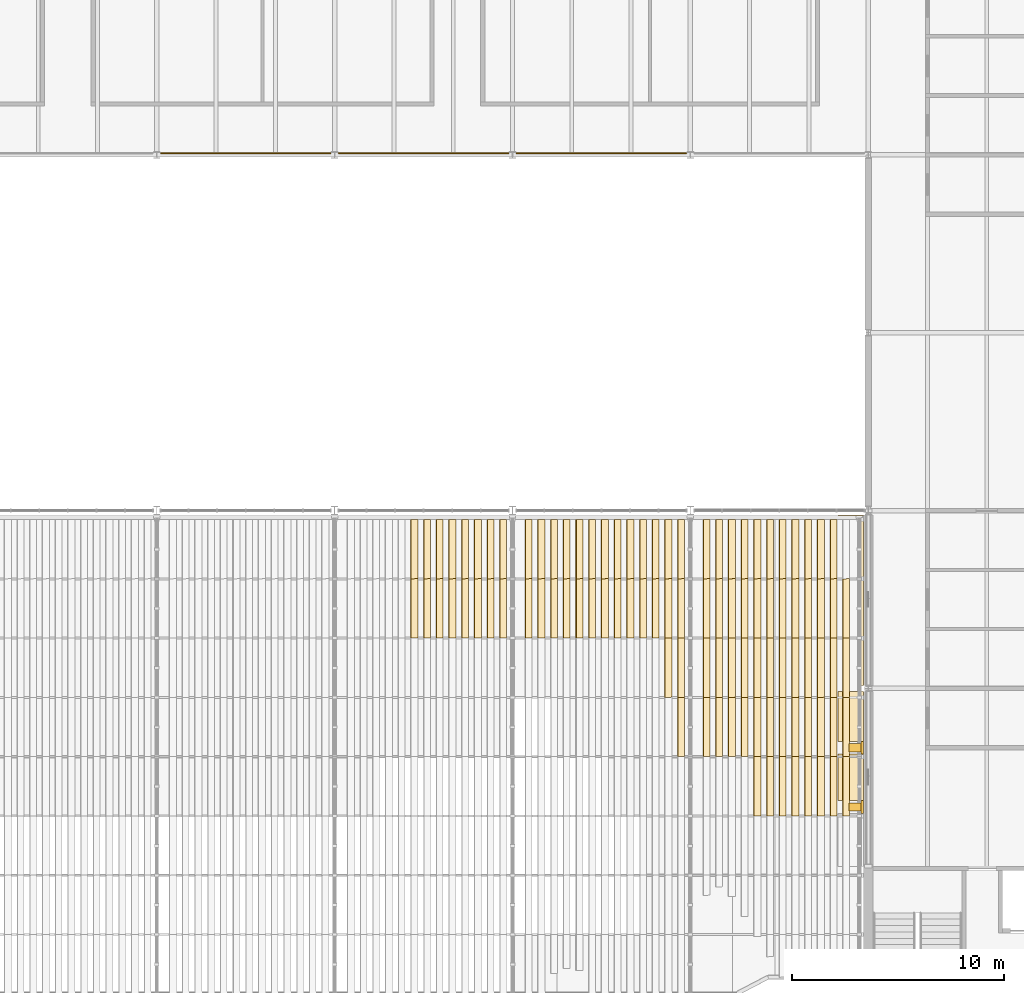
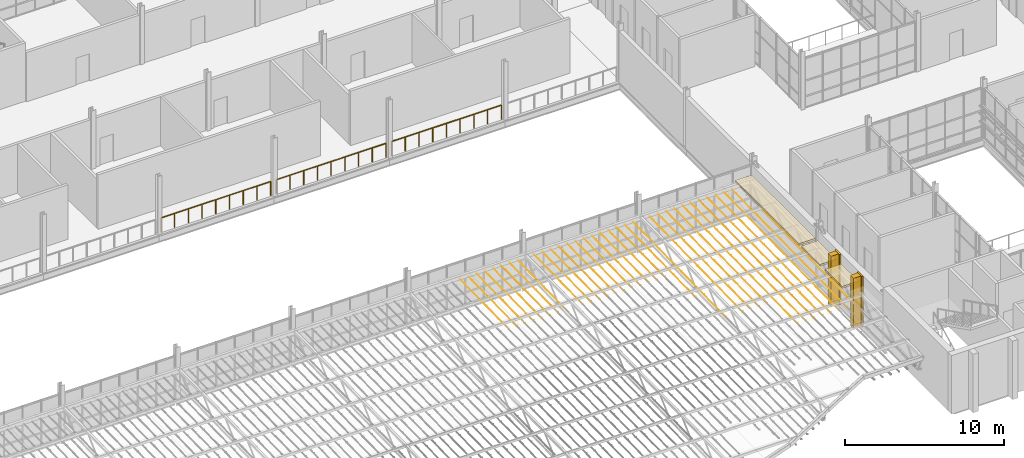
# One storey, part 125 of 129: 107 coverings, 3 railings.
"""IFC4 building model written with IfcOpenShell, lengths in metres."""

from ifc_helpers import new_model, si_unit, direction, frame, origin, origin_2d, place, context, subcontext, project, spatial, polyline, rectangle, circle, outline, extrude, material, layer, layer_set, material_profile, profile_set, type_object, element, save


model = new_model("IFC4")

# Units and contexts
model_context = context("Model", 3, precision=1e-05, world=origin(), true_north=direction((0.0, 1.0)))
body_context = subcontext(model_context, "Body", "Model", "MODEL_VIEW")
ifc_project = project(units=[si_unit("LENGTHUNIT", "METRE"), si_unit("AREAUNIT", "SQUARE_METRE"), si_unit("VOLUMEUNIT", "CUBIC_METRE"), si_unit("PLANEANGLEUNIT", "RADIAN"), si_unit("MASSUNIT", "GRAM", prefix="KILO")], contexts=[model_context])

# Site, building, storey
site_placement = place(None, origin())
site = spatial("IfcSite", under=ifc_project, at=site_placement, CompositionType="ELEMENT")
building_placement = place(site_placement, origin())
building = spatial("IfcBuilding", under=site, at=building_placement, Name="Ardhachandra Cancer Care Centre", CompositionType="ELEMENT")
storey_placement = place(building_placement, frame((0.0, 0.0, 4.5)))
storey = spatial("IfcBuildingStorey", under=building, at=storey_placement, Name="L01", CompositionType="ELEMENT", Elevation=4.5)

# Coverings
ifc_material_1 = material(Name="Brick masonry (clay brick, cement mortar) pier cladding", Category="masonry")
ifc_layer_1 = layer(ifc_material_1, 0.1201171875)
ifc_layer_set_1 = layer_set([ifc_layer_1], Name="Brick masonry (clay brick, cement mortar) pier cladding")
covering_type_1 = type_object("IfcCoveringType", Name="Brick pier cladding 600 x 120", PredefinedType="CLADDING", material=ifc_layer_set_1)
for number, where, z_axis, x_axis, name in (
    (1, (111.31494140625, 40.60009765625, 0.0), (0.0, 0.0, 1.0), (0.0, 1.0, 0.0), "Pier cladding L01 L01/w/0111600_0037800"),
    (2, (111.31494140625, 43.39990234375, 0.0), (0.0, 0.0, 1.0), (0.0, 1.0, 0.0), "Pier cladding L01 L01/w/0111600_0037800"),
):
    element("IfcCovering", number, at=place(storey_placement, frame(where, z_axis=z_axis, x_axis=x_axis)), inside=storey, type_object=covering_type_1, Name=name, PredefinedType="CLADDING", context=body_context, shape_type="SweptSolid", body=[
        extrude(rectangle(XDim=0.60009765625, YDim=0.1201171875, at=origin_2d()), origin(), (0.0, 0.0, 1.0), 3.885986328125),
    ])

# Railings
ifc_material_2 = material(Name="Steel E250 (IS 2062)", Category="steel")
railing_type = type_object("IfcRailingType", Name="Guard 1100", PredefinedType="GUARDRAIL", material=ifc_material_2)
for number, where, name in (
    (3, (78.199951171875, 71.47998046875, 0.0), "Gallery guard 5"),
    (4, (86.60009765625, 71.47998046875, 0.0), "Gallery guard 6"),
    (5, (95.0, 71.47998046875, 0.0), "Gallery guard 7"),
):
    element("IfcRailing", number, at=place(storey_placement, frame(where)), inside=storey, type_object=railing_type, Name=name, PredefinedType="GUARDRAIL", context=body_context, shape_type="SweptSolid", body=[
        extrude(circle(Radius=0.02392578125, at=origin_2d()), frame((0.0, 0.0, 1.076171875), z_axis=(1.0, 0.0, 0.0), x_axis=(0.0, 1.0, 0.0)), (0.0, 0.0, 1.0), 8.0),
        extrude(circle(Radius=0.02099609375, at=origin_2d()), origin(), (0.0, 0.0, 1.0), 1.052001953125),
        extrude(circle(Radius=0.02099609375, at=origin_2d()), frame((1.0, 0.0, 0.0)), (0.0, 0.0, 1.0), 1.052001953125),
        extrude(circle(Radius=0.02099609375, at=origin_2d()), frame((2.0, 0.0, 0.0)), (0.0, 0.0, 1.0), 1.052001953125),
        extrude(circle(Radius=0.02099609375, at=origin_2d()), frame((3.0, 0.0, 0.0)), (0.0, 0.0, 1.0), 1.052001953125),
        extrude(circle(Radius=0.02099609375, at=origin_2d()), frame((4.0, 0.0, 0.0)), (0.0, 0.0, 1.0), 1.052001953125),
        extrude(circle(Radius=0.02099609375, at=origin_2d()), frame((5.0, 0.0, 0.0)), (0.0, 0.0, 1.0), 1.052001953125),
        extrude(circle(Radius=0.02099609375, at=origin_2d()), frame((6.0, 0.0, 0.0)), (0.0, 0.0, 1.0), 1.052001953125),
        extrude(circle(Radius=0.02099609375, at=origin_2d()), frame((7.0, 0.0, 0.0)), (0.0, 0.0, 1.0), 1.052001953125),
        extrude(circle(Radius=0.02099609375, at=origin_2d()), frame((8.0, 0.0, 0.0)), (0.0, 0.0, 1.0), 1.052001953125),
    ])

# Coverings
ifc_material_3 = material(Name="Anodised aluminium", Category="aluminium")
ifc_material_profile = material_profile(ifc_material_3, outline(polyline([(-0.01220703125, 0.0), (0.01220703125, 0.0), (0.327392578125, -0.449951171875), (0.302978515625, -0.449951171875), (-0.01220703125, 0.0)])), Name="Louvre fin 450")
ifc_profile_set = profile_set([ifc_material_profile], Name="Anodised aluminium")
covering_type_2 = type_object("IfcCoveringType", Name="Louvre fin 450", PredefinedType="CLADDING", material=ifc_profile_set)
for number, where, z_axis, x_axis, name in (
    (6, (90.0, 54.175048828125, 2.743408203125), (0.0, -0.999800721691, -0.019962888244), (1.0, 0.0, 0.0), "Louvre fin 76-1"),
    (7, (90.0, 51.375, 2.6875), (0.0, -0.999800721691, -0.019962888244), (1.0, 0.0, 0.0), "Louvre fin 76-2"),
    (8, (90.60009765625, 54.175048828125, 2.743408203125), (0.0, -0.999800721691, -0.019962888244), (1.0, 0.0, 0.0), "Louvre fin 77-1"),
    (9, (90.60009765625, 51.375, 2.6875), (0.0, -0.999800721691, -0.019962888244), (1.0, 0.0, 0.0), "Louvre fin 77-2"),
    (10, (91.199951171875, 54.175048828125, 2.743408203125), (0.0, -0.999800721691, -0.019962888244), (1.0, 0.0, 0.0), "Louvre fin 78-1"),
    (11, (91.199951171875, 51.375, 2.6875), (0.0, -0.999800721691, -0.019962888244), (1.0, 0.0, 0.0), "Louvre fin 78-2"),
    (12, (91.800048828125, 54.175048828125, 2.743408203125), (0.0, -0.999800721691, -0.019962888244), (1.0, 0.0, 0.0), "Louvre fin 79-1"),
    (13, (91.800048828125, 51.375, 2.6875), (0.0, -0.999800721691, -0.019962888244), (1.0, 0.0, 0.0), "Louvre fin 79-2"),
    (14, (92.39990234375, 54.175048828125, 2.743408203125), (0.0, -0.999800721691, -0.019962888244), (1.0, 0.0, 0.0), "Louvre fin 80-1"),
    (15, (92.39990234375, 51.375, 2.6875), (0.0, -0.999800721691, -0.019962888244), (1.0, 0.0, 0.0), "Louvre fin 80-2"),
    (16, (93.0, 54.175048828125, 2.743408203125), (0.0, -0.999800721691, -0.019962888244), (1.0, 0.0, 0.0), "Louvre fin 81-1"),
    (17, (93.0, 51.375, 2.6875), (0.0, -0.999800721691, -0.019962888244), (1.0, 0.0, 0.0), "Louvre fin 81-2"),
    (18, (93.60009765625, 54.175048828125, 2.743408203125), (0.0, -0.999800721691, -0.019962888244), (1.0, 0.0, 0.0), "Louvre fin 82-1"),
    (19, (93.60009765625, 51.375, 2.6875), (0.0, -0.999800721691, -0.019962888244), (1.0, 0.0, 0.0), "Louvre fin 82-2"),
    (20, (94.199951171875, 54.175048828125, 2.743408203125), (0.0, -0.999800721691, -0.019962888244), (1.0, 0.0, 0.0), "Louvre fin 83-1"),
    (21, (94.199951171875, 51.375, 2.6875), (0.0, -0.999800721691, -0.019962888244), (1.0, 0.0, 0.0), "Louvre fin 83-2"),
    (22, (95.39990234375, 54.175048828125, 2.743408203125), (0.0, -0.999800721691, -0.019962888244), (1.0, 0.0, 0.0), "Louvre fin 85-1"),
    (23, (95.39990234375, 51.375, 2.6875), (0.0, -0.999800721691, -0.019962888244), (1.0, 0.0, 0.0), "Louvre fin 85-2"),
    (24, (96.0, 54.175048828125, 2.743408203125), (0.0, -0.999800721691, -0.019962888244), (1.0, 0.0, 0.0), "Louvre fin 86-1"),
    (25, (96.0, 51.375, 2.6875), (0.0, -0.999800721691, -0.019962888244), (1.0, 0.0, 0.0), "Louvre fin 86-2"),
    (26, (96.60009765625, 54.175048828125, 2.743408203125), (0.0, -0.999800721691, -0.019962888244), (1.0, 0.0, 0.0), "Louvre fin 87-1"),
    (27, (96.60009765625, 51.375, 2.6875), (0.0, -0.999800721691, -0.019962888244), (1.0, 0.0, 0.0), "Louvre fin 87-2"),
    (28, (97.199951171875, 54.175048828125, 2.743408203125), (0.0, -0.999800721691, -0.019962888244), (1.0, 0.0, 0.0), "Louvre fin 88-1"),
    (29, (97.199951171875, 51.375, 2.6875), (0.0, -0.999800721691, -0.019962888244), (1.0, 0.0, 0.0), "Louvre fin 88-2"),
    (30, (97.800048828125, 54.175048828125, 2.743408203125), (0.0, -0.999800721691, -0.019962888244), (1.0, 0.0, 0.0), "Louvre fin 89-1"),
    (31, (97.800048828125, 51.375, 2.6875), (0.0, -0.999800721691, -0.019962888244), (1.0, 0.0, 0.0), "Louvre fin 89-2"),
    (32, (98.39990234375, 54.175048828125, 2.743408203125), (0.0, -0.999800721691, -0.019962888244), (1.0, 0.0, 0.0), "Louvre fin 90-1"),
    (33, (98.39990234375, 51.375, 2.6875), (0.0, -0.999800721691, -0.019962888244), (1.0, 0.0, 0.0), "Louvre fin 90-2"),
    (34, (99.0, 54.175048828125, 2.743408203125), (0.0, -0.999800721691, -0.019962888244), (1.0, 0.0, 0.0), "Louvre fin 91-1"),
    (35, (99.0, 51.375, 2.6875), (0.0, -0.999800721691, -0.019962888244), (1.0, 0.0, 0.0), "Louvre fin 91-2"),
    (36, (99.60009765625, 54.175048828125, 2.743408203125), (0.0, -0.999800721691, -0.019962888244), (1.0, 0.0, 0.0), "Louvre fin 92-1"),
    (37, (99.60009765625, 51.375, 2.6875), (0.0, -0.999800721691, -0.019962888244), (1.0, 0.0, 0.0), "Louvre fin 92-2"),
    (38, (100.199951171875, 54.175048828125, 2.743408203125), (0.0, -0.999800721691, -0.019962888244), (1.0, 0.0, 0.0), "Louvre fin 93-1"),
    (39, (100.199951171875, 51.375, 2.6875), (0.0, -0.999800721691, -0.019962888244), (1.0, 0.0, 0.0), "Louvre fin 93-2"),
    (40, (100.800048828125, 54.175048828125, 2.743408203125), (0.0, -0.999800721691, -0.019962888244), (1.0, 0.0, 0.0), "Louvre fin 94-1"),
    (41, (100.800048828125, 51.375, 2.6875), (0.0, -0.999800721691, -0.019962888244), (1.0, 0.0, 0.0), "Louvre fin 94-2"),
    (42, (101.39990234375, 54.175048828125, 2.743408203125), (0.0, -0.999800721691, -0.019962888244), (1.0, 0.0, 0.0), "Louvre fin 95-1"),
    (43, (101.39990234375, 51.375, 2.6875), (0.0, -0.999800721691, -0.019962888244), (1.0, 0.0, 0.0), "Louvre fin 95-2"),
    (44, (102.0, 54.175048828125, 2.743408203125), (0.0, -0.999800721691, -0.019962888244), (1.0, 0.0, 0.0), "Louvre fin 96-1"),
    (45, (102.0, 51.375, 2.6875), (0.0, -0.999800721691, -0.019962888244), (1.0, 0.0, 0.0), "Louvre fin 96-2"),
    (46, (102.0, 48.574951171875, 2.631591796875), (0.0, -0.999798977995, -0.02005002746), (1.0, 0.0, 0.0), "Louvre fin 96-3"),
    (47, (102.60009765625, 54.175048828125, 2.743408203125), (0.0, -0.999800721691, -0.019962888244), (1.0, 0.0, 0.0), "Louvre fin 97-1"),
    (48, (102.60009765625, 51.375, 2.6875), (0.0, -0.999800721691, -0.019962888244), (1.0, 0.0, 0.0), "Louvre fin 97-2"),
    (49, (102.60009765625, 48.574951171875, 2.631591796875), (0.0, -0.999798977995, -0.02005002746), (1.0, 0.0, 0.0), "Louvre fin 97-3"),
):
    element("IfcCovering", number, at=place(storey_placement, frame(where, z_axis=z_axis, x_axis=x_axis)), inside=storey, type_object=covering_type_2, Name=name, PredefinedType="CLADDING", context=body_context, shape_type="SweptSolid", body=[
        extrude(outline(polyline([(-0.01220703125, 0.0), (0.01220703125, 0.0), (0.327392578125, -0.449951171875), (0.302978515625, -0.449951171875), (-0.01220703125, 0.0)])), origin(), (0.0, 0.0, 1.0), 2.800537109375),
    ])
covering_1_placement = place(storey_placement, frame((102.60009765625, 45.77490234375, 2.575439453125), z_axis=(0.0, -0.999800686946, -0.019964628297), x_axis=(1.0, 0.0, 0.0)))
element("IfcCovering", 50, at=covering_1_placement, inside=storey, type_object=covering_type_2, Name="Louvre fin 97-4", PredefinedType="CLADDING", context=body_context, shape_type="SweptSolid", body=[
    extrude(outline(polyline([(-0.01220703125, 0.0), (0.01220703125, 0.0), (0.327392578125, -0.449951171875), (0.302978515625, -0.449951171875), (-0.01220703125, 0.0)])), origin(), (0.0, 0.0, 1.0), 2.80029296875),
])
for number, where, z_axis, x_axis, name in (
    (51, (103.800048828125, 54.175048828125, 2.743408203125), (0.0, -0.999800721691, -0.019962888244), (1.0, 0.0, 0.0), "Louvre fin 99-1"),
    (52, (103.800048828125, 51.375, 2.6875), (0.0, -0.999800721691, -0.019962888244), (1.0, 0.0, 0.0), "Louvre fin 99-2"),
    (53, (103.800048828125, 48.574951171875, 2.631591796875), (0.0, -0.999798977995, -0.02005002746), (1.0, 0.0, 0.0), "Louvre fin 99-3"),
):
    element("IfcCovering", number, at=place(storey_placement, frame(where, z_axis=z_axis, x_axis=x_axis)), inside=storey, type_object=covering_type_2, Name=name, PredefinedType="CLADDING", context=body_context, shape_type="SweptSolid", body=[
        extrude(outline(polyline([(-0.01220703125, 0.0), (0.01220703125, 0.0), (0.327392578125, -0.449951171875), (0.302978515625, -0.449951171875), (-0.01220703125, 0.0)])), origin(), (0.0, 0.0, 1.0), 2.800537109375),
    ])
covering_2_placement = place(storey_placement, frame((103.800048828125, 45.77490234375, 2.575439453125), z_axis=(0.0, -0.999800686946, -0.019964628297), x_axis=(1.0, 0.0, 0.0)))
element("IfcCovering", 54, at=covering_2_placement, inside=storey, type_object=covering_type_2, Name="Louvre fin 99-4", PredefinedType="CLADDING", context=body_context, shape_type="SweptSolid", body=[
    extrude(outline(polyline([(-0.01220703125, 0.0), (0.01220703125, 0.0), (0.327392578125, -0.449951171875), (0.302978515625, -0.449951171875), (-0.01220703125, 0.0)])), origin(), (0.0, 0.0, 1.0), 2.80029296875),
])
for number, where, z_axis, x_axis, name in (
    (55, (104.39990234375, 54.175048828125, 2.743408203125), (0.0, -0.999800721691, -0.019962888244), (1.0, 0.0, 0.0), "Louvre fin 100-1"),
    (56, (104.39990234375, 51.375, 2.6875), (0.0, -0.999800721691, -0.019962888244), (1.0, 0.0, 0.0), "Louvre fin 100-2"),
    (57, (104.39990234375, 48.574951171875, 2.631591796875), (0.0, -0.999798977995, -0.02005002746), (1.0, 0.0, 0.0), "Louvre fin 100-3"),
):
    element("IfcCovering", number, at=place(storey_placement, frame(where, z_axis=z_axis, x_axis=x_axis)), inside=storey, type_object=covering_type_2, Name=name, PredefinedType="CLADDING", context=body_context, shape_type="SweptSolid", body=[
        extrude(outline(polyline([(-0.01220703125, 0.0), (0.01220703125, 0.0), (0.327392578125, -0.449951171875), (0.302978515625, -0.449951171875), (-0.01220703125, 0.0)])), origin(), (0.0, 0.0, 1.0), 2.800537109375),
    ])
covering_3_placement = place(storey_placement, frame((104.39990234375, 45.77490234375, 2.575439453125), z_axis=(0.0, -0.999800686946, -0.019964628297), x_axis=(1.0, 0.0, 0.0)))
element("IfcCovering", 58, at=covering_3_placement, inside=storey, type_object=covering_type_2, Name="Louvre fin 100-4", PredefinedType="CLADDING", context=body_context, shape_type="SweptSolid", body=[
    extrude(outline(polyline([(-0.01220703125, 0.0), (0.01220703125, 0.0), (0.327392578125, -0.449951171875), (0.302978515625, -0.449951171875), (-0.01220703125, 0.0)])), origin(), (0.0, 0.0, 1.0), 2.80029296875),
])
for number, where, z_axis, x_axis, name in (
    (59, (105.0, 54.175048828125, 2.743408203125), (0.0, -0.999800721691, -0.019962888244), (1.0, 0.0, 0.0), "Louvre fin 101-1"),
    (60, (105.0, 51.375, 2.6875), (0.0, -0.999800721691, -0.019962888244), (1.0, 0.0, 0.0), "Louvre fin 101-2"),
    (61, (105.0, 48.574951171875, 2.631591796875), (0.0, -0.999798977995, -0.02005002746), (1.0, 0.0, 0.0), "Louvre fin 101-3"),
):
    element("IfcCovering", number, at=place(storey_placement, frame(where, z_axis=z_axis, x_axis=x_axis)), inside=storey, type_object=covering_type_2, Name=name, PredefinedType="CLADDING", context=body_context, shape_type="SweptSolid", body=[
        extrude(outline(polyline([(-0.01220703125, 0.0), (0.01220703125, 0.0), (0.327392578125, -0.449951171875), (0.302978515625, -0.449951171875), (-0.01220703125, 0.0)])), origin(), (0.0, 0.0, 1.0), 2.800537109375),
    ])
covering_4_placement = place(storey_placement, frame((105.0, 45.77490234375, 2.575439453125), z_axis=(0.0, -0.999800686946, -0.019964628297), x_axis=(1.0, 0.0, 0.0)))
element("IfcCovering", 62, at=covering_4_placement, inside=storey, type_object=covering_type_2, Name="Louvre fin 101-4", PredefinedType="CLADDING", context=body_context, shape_type="SweptSolid", body=[
    extrude(outline(polyline([(-0.01220703125, 0.0), (0.01220703125, 0.0), (0.327392578125, -0.449951171875), (0.302978515625, -0.449951171875), (-0.01220703125, 0.0)])), origin(), (0.0, 0.0, 1.0), 2.80029296875),
])
for number, where, z_axis, x_axis, name in (
    (63, (105.60009765625, 54.175048828125, 2.743408203125), (0.0, -0.999800721691, -0.019962888244), (1.0, 0.0, 0.0), "Louvre fin 102-1"),
    (64, (105.60009765625, 51.375, 2.6875), (0.0, -0.999800721691, -0.019962888244), (1.0, 0.0, 0.0), "Louvre fin 102-2"),
    (65, (105.60009765625, 48.574951171875, 2.631591796875), (0.0, -0.999798977995, -0.02005002746), (1.0, 0.0, 0.0), "Louvre fin 102-3"),
):
    element("IfcCovering", number, at=place(storey_placement, frame(where, z_axis=z_axis, x_axis=x_axis)), inside=storey, type_object=covering_type_2, Name=name, PredefinedType="CLADDING", context=body_context, shape_type="SweptSolid", body=[
        extrude(outline(polyline([(-0.01220703125, 0.0), (0.01220703125, 0.0), (0.327392578125, -0.449951171875), (0.302978515625, -0.449951171875), (-0.01220703125, 0.0)])), origin(), (0.0, 0.0, 1.0), 2.800537109375),
    ])
covering_5_placement = place(storey_placement, frame((105.60009765625, 45.77490234375, 2.575439453125), z_axis=(0.0, -0.999800686946, -0.019964628297), x_axis=(1.0, 0.0, 0.0)))
element("IfcCovering", 66, at=covering_5_placement, inside=storey, type_object=covering_type_2, Name="Louvre fin 102-4", PredefinedType="CLADDING", context=body_context, shape_type="SweptSolid", body=[
    extrude(outline(polyline([(-0.01220703125, 0.0), (0.01220703125, 0.0), (0.327392578125, -0.449951171875), (0.302978515625, -0.449951171875), (-0.01220703125, 0.0)])), origin(), (0.0, 0.0, 1.0), 2.80029296875),
])
for number, where, z_axis, x_axis, name in (
    (67, (106.199951171875, 54.175048828125, 2.743408203125), (0.0, -0.999800721691, -0.019962888244), (1.0, 0.0, 0.0), "Louvre fin 103-1"),
    (68, (106.199951171875, 51.375, 2.6875), (0.0, -0.999800721691, -0.019962888244), (1.0, 0.0, 0.0), "Louvre fin 103-2"),
    (69, (106.199951171875, 48.574951171875, 2.631591796875), (0.0, -0.999798977995, -0.02005002746), (1.0, 0.0, 0.0), "Louvre fin 103-3"),
):
    element("IfcCovering", number, at=place(storey_placement, frame(where, z_axis=z_axis, x_axis=x_axis)), inside=storey, type_object=covering_type_2, Name=name, PredefinedType="CLADDING", context=body_context, shape_type="SweptSolid", body=[
        extrude(outline(polyline([(-0.01220703125, 0.0), (0.01220703125, 0.0), (0.327392578125, -0.449951171875), (0.302978515625, -0.449951171875), (-0.01220703125, 0.0)])), origin(), (0.0, 0.0, 1.0), 2.800537109375),
    ])
covering_6_placement = place(storey_placement, frame((106.199951171875, 45.77490234375, 2.575439453125), z_axis=(0.0, -0.999800686946, -0.019964628297), x_axis=(1.0, 0.0, 0.0)))
element("IfcCovering", 70, at=covering_6_placement, inside=storey, type_object=covering_type_2, Name="Louvre fin 103-4", PredefinedType="CLADDING", context=body_context, shape_type="SweptSolid", body=[
    extrude(outline(polyline([(-0.01220703125, 0.0), (0.01220703125, 0.0), (0.327392578125, -0.449951171875), (0.302978515625, -0.449951171875), (-0.01220703125, 0.0)])), origin(), (0.0, 0.0, 1.0), 2.80029296875),
])
for number, where, z_axis, x_axis, name in (
    (71, (106.199951171875, 42.97509765625, 2.51953125), (0.0, -0.999798977995, -0.02005002746), (1.0, 0.0, 0.0), "Louvre fin 103-5"),
    (72, (106.800048828125, 54.175048828125, 2.743408203125), (0.0, -0.999800721691, -0.019962888244), (1.0, 0.0, 0.0), "Louvre fin 104-1"),
    (73, (106.800048828125, 51.375, 2.6875), (0.0, -0.999800721691, -0.019962888244), (1.0, 0.0, 0.0), "Louvre fin 104-2"),
    (74, (106.800048828125, 48.574951171875, 2.631591796875), (0.0, -0.999798977995, -0.02005002746), (1.0, 0.0, 0.0), "Louvre fin 104-3"),
):
    element("IfcCovering", number, at=place(storey_placement, frame(where, z_axis=z_axis, x_axis=x_axis)), inside=storey, type_object=covering_type_2, Name=name, PredefinedType="CLADDING", context=body_context, shape_type="SweptSolid", body=[
        extrude(outline(polyline([(-0.01220703125, 0.0), (0.01220703125, 0.0), (0.327392578125, -0.449951171875), (0.302978515625, -0.449951171875), (-0.01220703125, 0.0)])), origin(), (0.0, 0.0, 1.0), 2.800537109375),
    ])
covering_7_placement = place(storey_placement, frame((106.800048828125, 45.77490234375, 2.575439453125), z_axis=(0.0, -0.999800686946, -0.019964628297), x_axis=(1.0, 0.0, 0.0)))
element("IfcCovering", 75, at=covering_7_placement, inside=storey, type_object=covering_type_2, Name="Louvre fin 104-4", PredefinedType="CLADDING", context=body_context, shape_type="SweptSolid", body=[
    extrude(outline(polyline([(-0.01220703125, 0.0), (0.01220703125, 0.0), (0.327392578125, -0.449951171875), (0.302978515625, -0.449951171875), (-0.01220703125, 0.0)])), origin(), (0.0, 0.0, 1.0), 2.80029296875),
])
for number, where, z_axis, x_axis, name in (
    (76, (106.800048828125, 42.97509765625, 2.51953125), (0.0, -0.999798977995, -0.02005002746), (1.0, 0.0, 0.0), "Louvre fin 104-5"),
    (77, (107.39990234375, 54.175048828125, 2.743408203125), (0.0, -0.999800721691, -0.019962888244), (1.0, 0.0, 0.0), "Louvre fin 105-1"),
    (78, (107.39990234375, 51.375, 2.6875), (0.0, -0.999800721691, -0.019962888244), (1.0, 0.0, 0.0), "Louvre fin 105-2"),
    (79, (107.39990234375, 48.574951171875, 2.631591796875), (0.0, -0.999798977995, -0.02005002746), (1.0, 0.0, 0.0), "Louvre fin 105-3"),
):
    element("IfcCovering", number, at=place(storey_placement, frame(where, z_axis=z_axis, x_axis=x_axis)), inside=storey, type_object=covering_type_2, Name=name, PredefinedType="CLADDING", context=body_context, shape_type="SweptSolid", body=[
        extrude(outline(polyline([(-0.01220703125, 0.0), (0.01220703125, 0.0), (0.327392578125, -0.449951171875), (0.302978515625, -0.449951171875), (-0.01220703125, 0.0)])), origin(), (0.0, 0.0, 1.0), 2.800537109375),
    ])
covering_8_placement = place(storey_placement, frame((107.39990234375, 45.77490234375, 2.575439453125), z_axis=(0.0, -0.999800686946, -0.019964628297), x_axis=(1.0, 0.0, 0.0)))
element("IfcCovering", 80, at=covering_8_placement, inside=storey, type_object=covering_type_2, Name="Louvre fin 105-4", PredefinedType="CLADDING", context=body_context, shape_type="SweptSolid", body=[
    extrude(outline(polyline([(-0.01220703125, 0.0), (0.01220703125, 0.0), (0.327392578125, -0.449951171875), (0.302978515625, -0.449951171875), (-0.01220703125, 0.0)])), origin(), (0.0, 0.0, 1.0), 2.80029296875),
])
for number, where, z_axis, x_axis, name in (
    (81, (107.39990234375, 42.97509765625, 2.51953125), (0.0, -0.999798977995, -0.02005002746), (1.0, 0.0, 0.0), "Louvre fin 105-5"),
    (82, (108.0, 54.175048828125, 2.743408203125), (0.0, -0.999800721691, -0.019962888244), (1.0, 0.0, 0.0), "Louvre fin 106-1"),
    (83, (108.0, 51.375, 2.6875), (0.0, -0.999800721691, -0.019962888244), (1.0, 0.0, 0.0), "Louvre fin 106-2"),
    (84, (108.0, 48.574951171875, 2.631591796875), (0.0, -0.999798977995, -0.02005002746), (1.0, 0.0, 0.0), "Louvre fin 106-3"),
):
    element("IfcCovering", number, at=place(storey_placement, frame(where, z_axis=z_axis, x_axis=x_axis)), inside=storey, type_object=covering_type_2, Name=name, PredefinedType="CLADDING", context=body_context, shape_type="SweptSolid", body=[
        extrude(outline(polyline([(-0.01220703125, 0.0), (0.01220703125, 0.0), (0.327392578125, -0.449951171875), (0.302978515625, -0.449951171875), (-0.01220703125, 0.0)])), origin(), (0.0, 0.0, 1.0), 2.800537109375),
    ])
covering_9_placement = place(storey_placement, frame((108.0, 45.77490234375, 2.575439453125), z_axis=(0.0, -0.999800686946, -0.019964628297), x_axis=(1.0, 0.0, 0.0)))
element("IfcCovering", 85, at=covering_9_placement, inside=storey, type_object=covering_type_2, Name="Louvre fin 106-4", PredefinedType="CLADDING", context=body_context, shape_type="SweptSolid", body=[
    extrude(outline(polyline([(-0.01220703125, 0.0), (0.01220703125, 0.0), (0.327392578125, -0.449951171875), (0.302978515625, -0.449951171875), (-0.01220703125, 0.0)])), origin(), (0.0, 0.0, 1.0), 2.80029296875),
])
for number, where, z_axis, x_axis, name in (
    (86, (108.0, 42.97509765625, 2.51953125), (0.0, -0.999798977995, -0.02005002746), (1.0, 0.0, 0.0), "Louvre fin 106-5"),
    (87, (108.60009765625, 54.175048828125, 2.743408203125), (0.0, -0.999800721691, -0.019962888244), (1.0, 0.0, 0.0), "Louvre fin 107-1"),
    (88, (108.60009765625, 51.375, 2.6875), (0.0, -0.999800721691, -0.019962888244), (1.0, 0.0, 0.0), "Louvre fin 107-2"),
    (89, (108.60009765625, 48.574951171875, 2.631591796875), (0.0, -0.999798977995, -0.02005002746), (1.0, 0.0, 0.0), "Louvre fin 107-3"),
):
    element("IfcCovering", number, at=place(storey_placement, frame(where, z_axis=z_axis, x_axis=x_axis)), inside=storey, type_object=covering_type_2, Name=name, PredefinedType="CLADDING", context=body_context, shape_type="SweptSolid", body=[
        extrude(outline(polyline([(-0.01220703125, 0.0), (0.01220703125, 0.0), (0.327392578125, -0.449951171875), (0.302978515625, -0.449951171875), (-0.01220703125, 0.0)])), origin(), (0.0, 0.0, 1.0), 2.800537109375),
    ])
covering_10_placement = place(storey_placement, frame((108.60009765625, 45.77490234375, 2.575439453125), z_axis=(0.0, -0.999800686946, -0.019964628297), x_axis=(1.0, 0.0, 0.0)))
element("IfcCovering", 90, at=covering_10_placement, inside=storey, type_object=covering_type_2, Name="Louvre fin 107-4", PredefinedType="CLADDING", context=body_context, shape_type="SweptSolid", body=[
    extrude(outline(polyline([(-0.01220703125, 0.0), (0.01220703125, 0.0), (0.327392578125, -0.449951171875), (0.302978515625, -0.449951171875), (-0.01220703125, 0.0)])), origin(), (0.0, 0.0, 1.0), 2.80029296875),
])
for number, where, z_axis, x_axis, name in (
    (91, (108.60009765625, 42.97509765625, 2.51953125), (0.0, -0.999798977995, -0.02005002746), (1.0, 0.0, 0.0), "Louvre fin 107-5"),
    (92, (109.199951171875, 54.175048828125, 2.743408203125), (0.0, -0.999800721691, -0.019962888244), (1.0, 0.0, 0.0), "Louvre fin 108-1"),
    (93, (109.199951171875, 51.375, 2.6875), (0.0, -0.999800721691, -0.019962888244), (1.0, 0.0, 0.0), "Louvre fin 108-2"),
    (94, (109.199951171875, 48.574951171875, 2.631591796875), (0.0, -0.999798977995, -0.02005002746), (1.0, 0.0, 0.0), "Louvre fin 108-3"),
):
    element("IfcCovering", number, at=place(storey_placement, frame(where, z_axis=z_axis, x_axis=x_axis)), inside=storey, type_object=covering_type_2, Name=name, PredefinedType="CLADDING", context=body_context, shape_type="SweptSolid", body=[
        extrude(outline(polyline([(-0.01220703125, 0.0), (0.01220703125, 0.0), (0.327392578125, -0.449951171875), (0.302978515625, -0.449951171875), (-0.01220703125, 0.0)])), origin(), (0.0, 0.0, 1.0), 2.800537109375),
    ])
covering_11_placement = place(storey_placement, frame((109.199951171875, 45.77490234375, 2.575439453125), z_axis=(0.0, -0.999800686946, -0.019964628297), x_axis=(1.0, 0.0, 0.0)))
element("IfcCovering", 95, at=covering_11_placement, inside=storey, type_object=covering_type_2, Name="Louvre fin 108-4", PredefinedType="CLADDING", context=body_context, shape_type="SweptSolid", body=[
    extrude(outline(polyline([(-0.01220703125, 0.0), (0.01220703125, 0.0), (0.327392578125, -0.449951171875), (0.302978515625, -0.449951171875), (-0.01220703125, 0.0)])), origin(), (0.0, 0.0, 1.0), 2.80029296875),
])
for number, where, z_axis, x_axis, name in (
    (96, (109.199951171875, 42.97509765625, 2.51953125), (0.0, -0.999798977995, -0.02005002746), (1.0, 0.0, 0.0), "Louvre fin 108-5"),
    (97, (109.800048828125, 54.175048828125, 2.743408203125), (0.0, -0.999800721691, -0.019962888244), (1.0, 0.0, 0.0), "Louvre fin 109-1"),
    (98, (109.800048828125, 51.375, 2.6875), (0.0, -0.999800721691, -0.019962888244), (1.0, 0.0, 0.0), "Louvre fin 109-2"),
    (99, (109.800048828125, 48.574951171875, 2.631591796875), (0.0, -0.999798977995, -0.02005002746), (1.0, 0.0, 0.0), "Louvre fin 109-3"),
):
    element("IfcCovering", number, at=place(storey_placement, frame(where, z_axis=z_axis, x_axis=x_axis)), inside=storey, type_object=covering_type_2, Name=name, PredefinedType="CLADDING", context=body_context, shape_type="SweptSolid", body=[
        extrude(outline(polyline([(-0.01220703125, 0.0), (0.01220703125, 0.0), (0.327392578125, -0.449951171875), (0.302978515625, -0.449951171875), (-0.01220703125, 0.0)])), origin(), (0.0, 0.0, 1.0), 2.800537109375),
    ])
covering_12_placement = place(storey_placement, frame((109.800048828125, 45.77490234375, 2.575439453125), z_axis=(0.0, -0.999800686946, -0.019964628297), x_axis=(1.0, 0.0, 0.0)))
element("IfcCovering", 100, at=covering_12_placement, inside=storey, type_object=covering_type_2, Name="Louvre fin 109-4", PredefinedType="CLADDING", context=body_context, shape_type="SweptSolid", body=[
    extrude(outline(polyline([(-0.01220703125, 0.0), (0.01220703125, 0.0), (0.327392578125, -0.449951171875), (0.302978515625, -0.449951171875), (-0.01220703125, 0.0)])), origin(), (0.0, 0.0, 1.0), 2.80029296875),
])
for number, where, z_axis, x_axis, name in (
    (101, (109.800048828125, 42.97509765625, 2.51953125), (0.0, -0.999798977995, -0.02005002746), (1.0, 0.0, 0.0), "Louvre fin 109-5"),
    (102, (110.39990234375, 51.375, 2.6875), (0.0, -0.999800721691, -0.019962888244), (1.0, 0.0, 0.0), "Louvre fin 110-2"),
    (103, (110.39990234375, 48.574951171875, 2.631591796875), (0.0, -0.999798977995, -0.02005002746), (1.0, 0.0, 0.0), "Louvre fin 110-3"),
):
    element("IfcCovering", number, at=place(storey_placement, frame(where, z_axis=z_axis, x_axis=x_axis)), inside=storey, type_object=covering_type_2, Name=name, PredefinedType="CLADDING", context=body_context, shape_type="SweptSolid", body=[
        extrude(outline(polyline([(-0.01220703125, 0.0), (0.01220703125, 0.0), (0.327392578125, -0.449951171875), (0.302978515625, -0.449951171875), (-0.01220703125, 0.0)])), origin(), (0.0, 0.0, 1.0), 2.800537109375),
    ])
covering_13_placement = place(storey_placement, frame((110.39990234375, 45.77490234375, 2.575439453125), z_axis=(0.0, -0.999800686946, -0.019964628297), x_axis=(1.0, 0.0, 0.0)))
element("IfcCovering", 104, at=covering_13_placement, inside=storey, type_object=covering_type_2, Name="Louvre fin 110-4", PredefinedType="CLADDING", context=body_context, shape_type="SweptSolid", body=[
    extrude(outline(polyline([(-0.01220703125, 0.0), (0.01220703125, 0.0), (0.327392578125, -0.449951171875), (0.302978515625, -0.449951171875), (-0.01220703125, 0.0)])), origin(), (0.0, 0.0, 1.0), 2.80029296875),
])
covering_14_placement = place(storey_placement, frame((110.39990234375, 42.97509765625, 2.51953125), z_axis=(0.0, -0.999798977995, -0.02005002746), x_axis=(1.0, 0.0, 0.0)))
element("IfcCovering", 105, at=covering_14_placement, inside=storey, type_object=covering_type_2, Name="Louvre fin 110-5", PredefinedType="CLADDING", context=body_context, shape_type="SweptSolid", body=[
    extrude(outline(polyline([(-0.01220703125, 0.0), (0.01220703125, 0.0), (0.327392578125, -0.449951171875), (0.302978515625, -0.449951171875), (-0.01220703125, 0.0)])), origin(), (0.0, 0.0, 1.0), 2.800537109375),
])
ifc_material_4 = material(Name="Precast Concrete M25", Category="concrete")
ifc_layer_2 = layer(ifc_material_4, 0.39990234375)
ifc_layer_set_2 = layer_set([ifc_layer_2], Name="Precast Concrete M25")
covering_type_3 = type_object("IfcCoveringType", Name="Precast concrete fin 400 x 550", PredefinedType="CLADDING", material=ifc_layer_set_2)
for number, where, z_axis, x_axis, name in (
    (106, (110.97998046875, 40.60009765625, 0.0), (0.0, 0.0, 1.0), (0.0, 1.0, 0.0), "Fin L01 L01/w/0111600_0037800"),
    (107, (110.97998046875, 43.39990234375, 0.0), (0.0, 0.0, 1.0), (0.0, 1.0, 0.0), "Fin L01 L01/w/0111600_0037800"),
):
    element("IfcCovering", number, at=place(storey_placement, frame(where, z_axis=z_axis, x_axis=x_axis)), inside=storey, type_object=covering_type_3, Name=name, PredefinedType="CLADDING", context=body_context, shape_type="SweptSolid", body=[
        extrude(rectangle(XDim=0.39990234375, YDim=0.550048828125, at=origin_2d()), origin(), (0.0, 0.0, 1.0), 3.885986328125),
    ])
ifc_material_5 = material(Name="Precast Concrete M25", Category="concrete")
ifc_layer_3 = layer(ifc_material_5, 0.14990234375)
ifc_layer_set_3 = layer_set([ifc_layer_3], Name="Precast Concrete M25")
covering_type_4 = type_object("IfcCoveringType", Name="Precast sunshade band 1200 x 150", PredefinedType="CLADDING", material=ifc_layer_set_3)
covering_15_placement = place(storey_placement, frame((110.77490234375, 42.0, 2.986083984375), z_axis=(0.0, 0.0, 1.0), x_axis=(0.0, 1.0, 0.0)))
element("IfcCovering", 108, at=covering_15_placement, inside=storey, type_object=covering_type_4, Name="Sunshade band L01 L01/w/0111600_0037800 2", PredefinedType="CLADDING", context=body_context, shape_type="SweptSolid", body=[
    extrude(rectangle(XDim=2.199951171875, YDim=1.199951171875, at=origin_2d()), origin(), (0.0, 0.0, 1.0), 0.14990234375),
])
covering_16_placement = place(storey_placement, frame((110.77490234375, 44.87744140625, 2.986083984375), z_axis=(0.0, 0.0, 1.0), x_axis=(0.0, 1.0, 0.0)))
element("IfcCovering", 109, at=covering_16_placement, inside=storey, type_object=covering_type_4, Name="Sunshade band L01 L01/w/0111600_0037800 3", PredefinedType="CLADDING", context=body_context, shape_type="SweptSolid", body=[
    extrude(rectangle(XDim=2.35498046875, YDim=1.199951171875, at=origin_2d()), origin(), (0.0, 0.0, 1.0), 0.14990234375),
])
covering_17_placement = place(storey_placement, frame((110.77490234375, 50.37255859375, 2.986083984375), z_axis=(0.0, 0.0, 1.0), x_axis=(0.0, 1.0, 0.0)))
element("IfcCovering", 110, at=covering_17_placement, inside=storey, type_object=covering_type_4, Name="Sunshade band L01 L01/w/0111600_0046200 1", PredefinedType="CLADDING", context=body_context, shape_type="SweptSolid", body=[
    extrude(rectangle(XDim=8.054931640625, YDim=1.199951171875, at=origin_2d()), origin(), (0.0, 0.0, 1.0), 0.14990234375),
])

save(model, "model.ifc")
